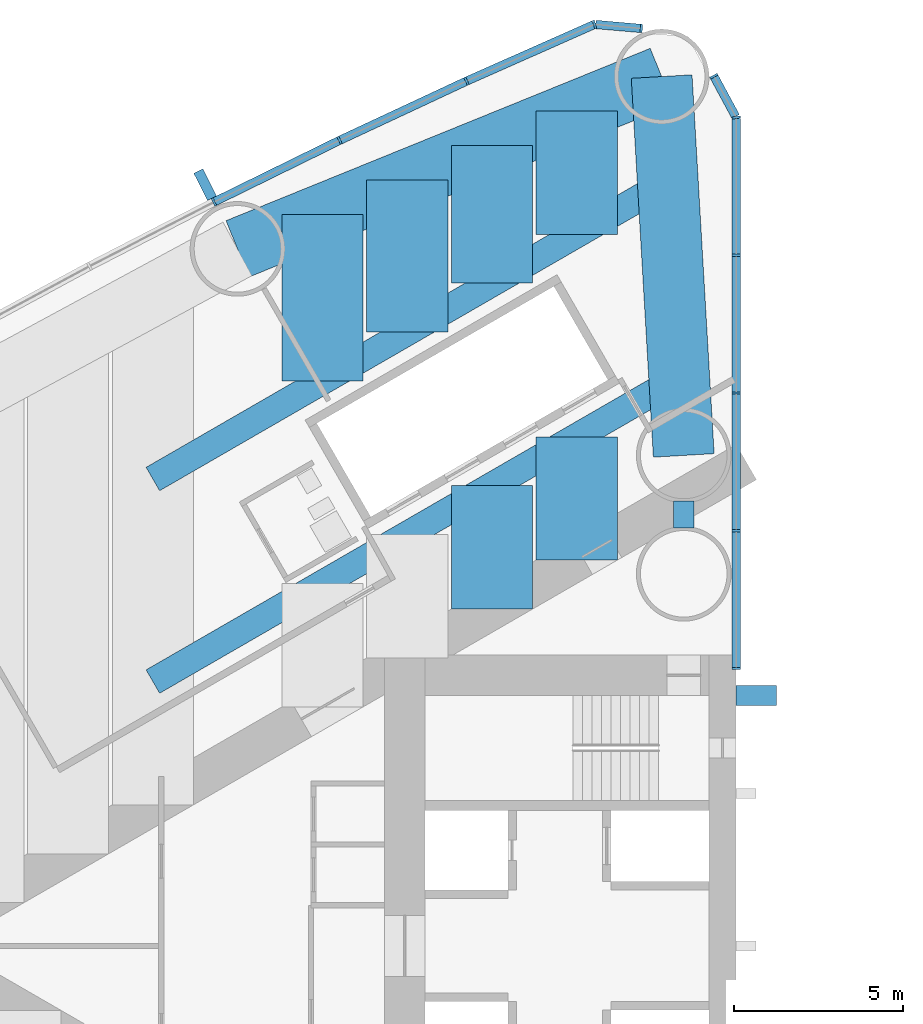
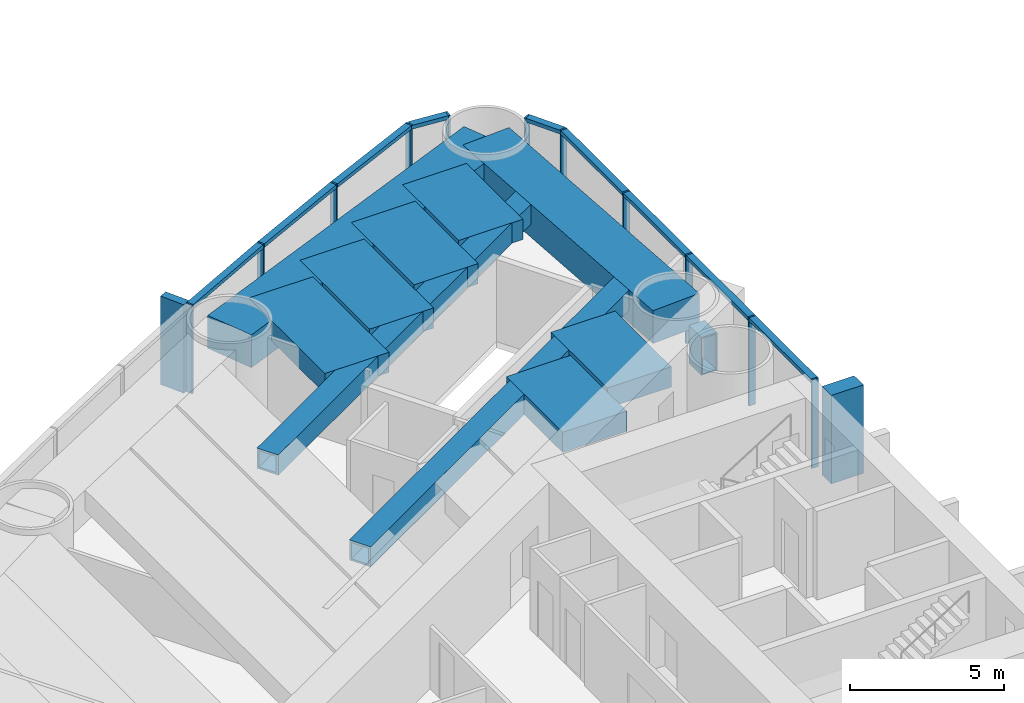
# One storey, part 5 of 19: 22 members, 11 beams, 2 elements without a shape of their own.
"""IFC4 building model written with IfcOpenShell, lengths in metres."""

from ifc_helpers import new_model, si_unit, direction, frame, origin, origin_2d, place, context, subcontext, project, spatial, rectangle, hollow_rectangle, extrude, material, material_profile, profile_set, type_object, element, aggregate, save


model = new_model("IFC4")

# Units and contexts
model_context = context("Model", 3, precision=1e-05, world=origin(), true_north=direction((0.0, 1.0)))
body_context = subcontext(model_context, "Body", "Model", "MODEL_VIEW")
ifc_project = project(units=[si_unit("LENGTHUNIT", "METRE"), si_unit("AREAUNIT", "SQUARE_METRE"), si_unit("VOLUMEUNIT", "CUBIC_METRE"), si_unit("PLANEANGLEUNIT", "RADIAN"), si_unit("MASSUNIT", "GRAM", prefix="KILO")], contexts=[model_context])

# Site, building, storey
site_placement = place(None, origin())
site = spatial("IfcSite", under=ifc_project, at=site_placement, CompositionType="ELEMENT")
building_placement = place(site_placement, origin())
building = spatial("IfcBuilding", under=site, at=building_placement, Name="Lancet Gate Hotel", CompositionType="ELEMENT")
storey_placement = place(building_placement, frame((0.0, 0.0, 70.5)))
storey = spatial("IfcBuildingStorey", under=building, at=storey_placement, Name="L18", CompositionType="ELEMENT", Elevation=70.5)

# Curtain wall, members
ifc_material_1 = material(Name="Aluminium curtain wall", Category="aluminium")
curtain_wall_type = type_object("IfcCurtainWallType", Name="Tower unitised curtain wall", PredefinedType="USERDEFINED", material=ifc_material_1)
curtain_wall_1_placement = place(storey_placement, origin())
curtain_wall_1 = element("IfcCurtainWall", 1, at=curtain_wall_1_placement, inside=storey, type_object=curtain_wall_type, Name="T1 L18 curtain wall 1", ObjectType="UNITISED CURTAIN WALL", PredefinedType="USERDEFINED")
ifc_material_2 = material(Name="Aluminium mullion", Category="aluminium")
ifc_material_profile_1 = material_profile(ifc_material_2, rectangle(XDim=0.06494140625, YDim=0.25, at=origin_2d()), Name="MULLION 65x250")
ifc_profile_set_1 = profile_set([ifc_material_profile_1], Name="Aluminium mullion")
member_type_1 = type_object("IfcMemberType", Name="Aluminium mullion 65x250", PredefinedType="MULLION", material=ifc_profile_set_1)
member_1_placement = place(storey_placement, frame((-27.5, 8.199951171875, 0.0), z_axis=(0.0, 0.0, 1.0), x_axis=(0.0, 1.0, 0.0)))
member_1 = element("IfcMember", 2, at=member_1_placement, type_object=member_type_1, Name="T1 L18 curtain wall 1 mullion 1", PredefinedType="MULLION", context=body_context, shape_type="SweptSolid", body=[
    extrude(rectangle(XDim=0.06494140625, YDim=0.25, at=origin_2d()), origin(), (0.0, 0.0, 1.0), 3.5),
])
member_2_placement = place(storey_placement, frame((-27.5, 12.272705078125, 0.0), z_axis=(0.0, 0.0, 1.0), x_axis=(0.0, 1.0, 0.0)))
member_2 = element("IfcMember", 3, at=member_2_placement, type_object=member_type_1, Name="T1 L18 curtain wall 1 mullion 2", PredefinedType="MULLION", context=body_context, shape_type="SweptSolid", body=[
    extrude(rectangle(XDim=0.06494140625, YDim=0.25, at=origin_2d()), origin(), (0.0, 0.0, 1.0), 3.5),
])
member_3_placement = place(storey_placement, frame((-27.5, 16.345703125, 0.0), z_axis=(0.0, 0.0, 1.0), x_axis=(0.0, 1.0, 0.0)))
member_3 = element("IfcMember", 4, at=member_3_placement, type_object=member_type_1, Name="T1 L18 curtain wall 1 mullion 3", PredefinedType="MULLION", context=body_context, shape_type="SweptSolid", body=[
    extrude(rectangle(XDim=0.06494140625, YDim=0.25, at=origin_2d()), origin(), (0.0, 0.0, 1.0), 3.5),
])
member_4_placement = place(storey_placement, frame((-27.5, 20.41845703125, 0.0), z_axis=(0.0, 0.0, 1.0), x_axis=(0.0, 1.0, 0.0)))
member_4 = element("IfcMember", 5, at=member_4_placement, type_object=member_type_1, Name="T1 L18 curtain wall 1 mullion 4", PredefinedType="MULLION", context=body_context, shape_type="SweptSolid", body=[
    extrude(rectangle(XDim=0.06494140625, YDim=0.25, at=origin_2d()), origin(), (0.0, 0.0, 1.0), 3.5),
])
member_5_placement = place(storey_placement, frame((-27.5, 24.4912109375, 0.0), z_axis=(0.0, 0.0, 1.0), x_axis=(-0.123482502544, 0.992346749662, 0.0)))
member_5 = element("IfcMember", 6, at=member_5_placement, type_object=member_type_1, Name="T1 L18 curtain wall 1 mullion 5", PredefinedType="MULLION", context=body_context, shape_type="SweptSolid", body=[
    extrude(rectangle(XDim=0.06494140625, YDim=0.25, at=origin_2d()), origin(), (0.0, 0.0, 1.0), 3.5),
])
member_6_placement = place(storey_placement, frame((-28.158935546875, 25.712890625, 0.0), z_axis=(0.0, 0.0, 1.0), x_axis=(-0.474631040972, 0.880184852714, 0.0)))
member_6 = element("IfcMember", 7, at=member_6_placement, type_object=member_type_1, Name="T1 L18 curtain wall 1 mullion 6", PredefinedType="MULLION", context=body_context, shape_type="SweptSolid", body=[
    extrude(rectangle(XDim=0.06494140625, YDim=0.25, at=origin_2d()), origin(), (0.0, 0.0, 1.0), 3.5),
])

curtain_wall_2_placement = place(storey_placement, origin())
curtain_wall_2 = element("IfcCurtainWall", 8, at=curtain_wall_2_placement, inside=storey, type_object=curtain_wall_type, Name="T1 L18 curtain wall 2", ObjectType="UNITISED CURTAIN WALL", PredefinedType="USERDEFINED")
member_7_placement = place(storey_placement, frame((-30.3046875, 27.124755859375, 0.0), z_axis=(0.0, 0.0, 1.0), x_axis=(-0.99620380374, 0.087051602022, 0.0)))
member_7 = element("IfcMember", 9, at=member_7_placement, type_object=member_type_1, Name="T1 L18 curtain wall 2 mullion 1", PredefinedType="MULLION", context=body_context, shape_type="SweptSolid", body=[
    extrude(rectangle(XDim=0.06494140625, YDim=0.25, at=origin_2d()), origin(), (0.0, 0.0, 1.0), 3.5),
])
member_8_placement = place(storey_placement, frame((-31.688720703125, 27.24560546875, 0.0), z_axis=(0.0, 0.0, 1.0), x_axis=(-0.957524354695, -0.288352406209, 0.0)))
member_8 = element("IfcMember", 10, at=member_8_placement, type_object=member_type_1, Name="T1 L18 curtain wall 2 mullion 2", PredefinedType="MULLION", context=body_context, shape_type="SweptSolid", body=[
    extrude(rectangle(XDim=0.06494140625, YDim=0.25, at=origin_2d()), origin(), (0.0, 0.0, 1.0), 3.5),
])
member_9_placement = place(storey_placement, frame((-35.473876953125, 25.568115234375, 0.0), z_axis=(0.0, 0.0, 1.0), x_axis=(-0.910219680212, -0.414125746308, 0.0)))
member_9 = element("IfcMember", 11, at=member_9_placement, type_object=member_type_1, Name="T1 L18 curtain wall 2 mullion 3", PredefinedType="MULLION", context=body_context, shape_type="SweptSolid", body=[
    extrude(rectangle(XDim=0.06494140625, YDim=0.25, at=origin_2d()), origin(), (0.0, 0.0, 1.0), 3.5),
])
member_10_placement = place(storey_placement, frame((-39.225341796875, 23.816650390625, 0.0), z_axis=(0.0, 0.0, 1.0), x_axis=(-0.901928838337, -0.431884672772, 0.0)))
member_10 = element("IfcMember", 12, at=member_10_placement, type_object=member_type_1, Name="T1 L18 curtain wall 2 mullion 4", PredefinedType="MULLION", context=body_context, shape_type="SweptSolid", body=[
    extrude(rectangle(XDim=0.06494140625, YDim=0.25, at=origin_2d()), origin(), (0.0, 0.0, 1.0), 3.5),
])
member_11_placement = place(storey_placement, frame((-42.94189453125, 21.991943359375, 0.0), z_axis=(0.0, 0.0, 1.0), x_axis=(-0.893291549794, -0.449477704748, 0.0)))
member_11 = element("IfcMember", 13, at=member_11_placement, type_object=member_type_1, Name="T1 L18 curtain wall 2 mullion 5", PredefinedType="MULLION", context=body_context, shape_type="SweptSolid", body=[
    extrude(rectangle(XDim=0.06494140625, YDim=0.25, at=origin_2d()), origin(), (0.0, 0.0, 1.0), 3.5),
])

# Member
ifc_material_3 = material(Name="Aluminium transom", Category="aluminium")
ifc_material_profile_2 = material_profile(ifc_material_3, rectangle(XDim=0.25, YDim=0.14990234375, at=origin_2d()), Name="TRANSOM 250x150")
ifc_profile_set_2 = profile_set([ifc_material_profile_2], Name="Aluminium transom")
member_type_2 = type_object("IfcMemberType", Name="Aluminium transom 250x150", PredefinedType="USERDEFINED", material=ifc_profile_set_2)
member_12_placement = place(storey_placement, frame((-27.5, 8.232421875, 3.425048828125), z_axis=(0.0, 1.0, 0.0), x_axis=(-1.0, 0.0, 0.0)))
member_12 = element("IfcMember", 14, at=member_12_placement, type_object=member_type_2, Name="T1 L18 curtain wall 1 transom 1", ObjectType="TRANSOM", PredefinedType="USERDEFINED", context=body_context, shape_type="SweptSolid", body=[
    extrude(rectangle(XDim=0.25, YDim=0.14990234375, at=origin_2d()), origin(), (0.0, 0.0, 1.0), 4.0078125),
])

member_13_placement = place(storey_placement, frame((-27.5, 12.30517578125, 3.425048828125), z_axis=(0.0, 1.0, 0.0), x_axis=(-1.0, 0.0, 0.0)))
member_13 = element("IfcMember", 15, at=member_13_placement, type_object=member_type_2, Name="T1 L18 curtain wall 1 transom 2", ObjectType="TRANSOM", PredefinedType="USERDEFINED", context=body_context, shape_type="SweptSolid", body=[
    extrude(rectangle(XDim=0.25, YDim=0.14990234375, at=origin_2d()), origin(), (0.0, 0.0, 1.0), 4.0078125),
])

member_14_placement = place(storey_placement, frame((-27.5, 16.378173828125, 3.425048828125), z_axis=(0.0, 1.0, 0.0), x_axis=(-1.0, 0.0, 0.0)))
member_14 = element("IfcMember", 16, at=member_14_placement, type_object=member_type_2, Name="T1 L18 curtain wall 1 transom 3", ObjectType="TRANSOM", PredefinedType="USERDEFINED", context=body_context, shape_type="SweptSolid", body=[
    extrude(rectangle(XDim=0.25, YDim=0.14990234375, at=origin_2d()), origin(), (0.0, 0.0, 1.0), 4.0078125),
])

member_15_placement = place(storey_placement, frame((-27.5, 20.450927734375, 3.425048828125), z_axis=(0.0, 1.0, 0.0), x_axis=(-1.0, 0.0, 0.0)))
member_15 = element("IfcMember", 17, at=member_15_placement, type_object=member_type_2, Name="T1 L18 curtain wall 1 transom 4", ObjectType="TRANSOM", PredefinedType="USERDEFINED", context=body_context, shape_type="SweptSolid", body=[
    extrude(rectangle(XDim=0.25, YDim=0.14990234375, at=origin_2d()), origin(), (0.0, 0.0, 1.0), 4.0078125),
])

member_16_placement = place(storey_placement, frame((-27.515380859375, 24.519775390625, 3.425048828125), z_axis=(-0.474605926905, 0.880198394765, 0.0), x_axis=(-0.880198394765, -0.474605926905, 0.0)))
member_16 = element("IfcMember", 18, at=member_16_placement, type_object=member_type_2, Name="T1 L18 curtain wall 1 transom 5", ObjectType="TRANSOM", PredefinedType="USERDEFINED", context=body_context, shape_type="SweptSolid", body=[
    extrude(rectangle(XDim=0.25, YDim=0.14990234375, at=origin_2d()), origin(), (0.0, 0.0, 1.0), 1.322998046875),
])

aggregate(curtain_wall_1, [member_1, member_2, member_3, member_4, member_5, member_6, member_12, member_13, member_14, member_15, member_16])

member_17_placement = place(storey_placement, frame((-30.337158203125, 27.127685546875, 3.425048828125), z_axis=(-0.99620591587, 0.087027427779, 0.0), x_axis=(-0.087027427779, -0.99620591587, 0.0)))
member_17 = element("IfcMember", 19, at=member_17_placement, type_object=member_type_2, Name="T1 L18 curtain wall 2 transom 1", ObjectType="TRANSOM", PredefinedType="USERDEFINED", context=body_context, shape_type="SweptSolid", body=[
    extrude(rectangle(XDim=0.25, YDim=0.14990234375, at=origin_2d()), origin(), (0.0, 0.0, 1.0), 1.32421875),
])

member_18_placement = place(storey_placement, frame((-31.71826171875, 27.232421875, 3.425048828125), z_axis=(-0.914248281954, -0.405154389022, 0.0), x_axis=(0.405154389022, -0.914248281954, 0.0)))
member_18 = element("IfcMember", 20, at=member_18_placement, type_object=member_type_2, Name="T1 L18 curtain wall 2 transom 2", ObjectType="TRANSOM", PredefinedType="USERDEFINED", context=body_context, shape_type="SweptSolid", body=[
    extrude(rectangle(XDim=0.25, YDim=0.14990234375, at=origin_2d()), origin(), (0.0, 0.0, 1.0), 4.0751953125),
])

member_19_placement = place(storey_placement, frame((-35.503173828125, 25.554443359375, 3.425048828125), z_axis=(-0.906109667261, -0.423042871228, 0.0), x_axis=(0.423042871228, -0.906109667261, 0.0)))
member_19 = element("IfcMember", 21, at=member_19_placement, type_object=member_type_2, Name="T1 L18 curtain wall 2 transom 3", ObjectType="TRANSOM", PredefinedType="USERDEFINED", context=body_context, shape_type="SweptSolid", body=[
    extrude(rectangle(XDim=0.25, YDim=0.14990234375, at=origin_2d()), origin(), (0.0, 0.0, 1.0), 4.075439453125),
])

member_20_placement = place(storey_placement, frame((-39.254638671875, 23.80224609375, 3.425048828125), z_axis=(-0.897662439958, -0.440683723194, 0.0), x_axis=(0.440683723194, -0.897662439958, 0.0)))
member_20 = element("IfcMember", 22, at=member_20_placement, type_object=member_type_2, Name="T1 L18 curtain wall 2 transom 4", ObjectType="TRANSOM", PredefinedType="USERDEFINED", context=body_context, shape_type="SweptSolid", body=[
    extrude(rectangle(XDim=0.25, YDim=0.14990234375, at=origin_2d()), origin(), (0.0, 0.0, 1.0), 4.0751953125),
])

# Beams
ifc_material_4 = material(Name="Concrete C50/60", Category="concrete")
ifc_material_profile_3 = material_profile(ifc_material_4, rectangle(XDim=1.800048828125, YDim=1.300048828125, at=origin_2d()), Name="RC 1800x1300")
ifc_profile_set_3 = profile_set([ifc_material_profile_3], Name="Concrete C50/60")
beam_type_1 = type_object("IfcBeamType", Name="Edge beam RC 1800x1300", PredefinedType="SPANDREL", material=ifc_profile_set_3)
beam_1_placement = place(storey_placement, frame((-29.703369140625, 25.70263671875, 2.60009765625), z_axis=(-0.926463236197, -0.376385270667, 0.0), x_axis=(0.376385270667, -0.926463236197, 0.0)))
element("IfcBeam", 23, at=beam_1_placement, inside=storey, type_object=beam_type_1, Name="T1 edge beam EB1 L18", PredefinedType="SPANDREL", context=body_context, shape_type="SweptSolid", body=[
    extrude(rectangle(XDim=1.800048828125, YDim=1.300048828125, at=origin_2d()), origin(), (0.0, 0.0, 1.0), 13.537353515625),
])
beam_2_placement = place(storey_placement, frame((-29.703369140625, 25.70263671875, 2.60009765625), z_axis=(0.058219521912, -0.998303805096, 0.0), x_axis=(0.998303805096, 0.058219521912, 0.0)))
element("IfcBeam", 24, at=beam_2_placement, inside=storey, type_object=beam_type_1, Name="T1 edge beam EB1 L18", PredefinedType="SPANDREL", context=body_context, shape_type="SweptSolid", body=[
    extrude(rectangle(XDim=1.800048828125, YDim=1.300048828125, at=origin_2d()), origin(), (0.0, 0.0, 1.0), 11.2216796875),
])

# Member
ifc_material_5 = material(Name="Concrete C60/75", Category="concrete")
ifc_material_profile_4 = material_profile(ifc_material_5, rectangle(XDim=0.60009765625, YDim=1.199951171875, at=origin_2d()), Name="FIN 600x1200")
ifc_profile_set_4 = profile_set([ifc_material_profile_4], Name="Concrete C60/75")
member_type_3 = type_object("IfcMemberType", Name="Exposed concrete buttress pilaster 600x1200", PredefinedType="USERDEFINED", material=ifc_profile_set_4)
member_21_placement = place(storey_placement, frame((-26.909912109375, 7.39990234375, 0.0), z_axis=(0.0, 0.0, 1.0), x_axis=(0.0, 1.0, 0.0)))
element("IfcMember", 25, at=member_21_placement, inside=storey, type_object=member_type_3, Name="T1 buttress pilaster S L18", ObjectType="FIN", PredefinedType="USERDEFINED", context=body_context, shape_type="SweptSolid", body=[
    extrude(rectangle(XDim=0.60009765625, YDim=1.199951171875, at=origin_2d()), origin(), (0.0, 0.0, 1.0), 3.5),
])

ifc_material_6 = material(Name="Precast concrete C50/60", Category="concrete")
ifc_material_profile_5 = material_profile(ifc_material_6, rectangle(XDim=0.300048828125, YDim=0.89990234375, at=origin_2d()), Name="FIN 300x900")
ifc_profile_set_5 = profile_set([ifc_material_profile_5], Name="Precast concrete C50/60")
member_type_4 = type_object("IfcMemberType", Name="Exposed concrete fin 300x900", PredefinedType="USERDEFINED", material=ifc_profile_set_5)
member_22_placement = place(storey_placement, frame((-43.200439453125, 22.505615234375, 0.0), z_axis=(0.0, 0.0, 1.0), x_axis=(-0.893291549794, -0.449477704748, 0.0)))
member_22 = element("IfcMember", 26, at=member_22_placement, type_object=member_type_4, Name="T1 L18 curtain wall 2 fin 5", ObjectType="FIN", PredefinedType="USERDEFINED", context=body_context, shape_type="SweptSolid", body=[
    extrude(rectangle(XDim=0.300048828125, YDim=0.89990234375, at=origin_2d()), origin(), (0.0, 0.0, 1.0), 3.5),
])

aggregate(curtain_wall_2, [member_7, member_8, member_9, member_10, member_11, member_22, member_17, member_18, member_19, member_20])

# Beams
ifc_material_7 = material(Name="Concrete C50/60", Category="concrete")
ifc_material_profile_6 = material_profile(ifc_material_7, rectangle(XDim=2.39990234375, YDim=0.800048828125, at=origin_2d()), Name="RC 2400x800")
ifc_profile_set_6 = profile_set([ifc_material_profile_6], Name="Concrete C50/60")
beam_type_2 = type_object("IfcBeamType", Name="Floor beam RC 2400x800", PredefinedType="BEAM", material=ifc_profile_set_6)
beam_3_placement = place(storey_placement, frame((-32.213623046875, 24.682861328125, 2.85009765625), z_axis=(0.0, -1.0, 0.0), x_axis=(1.0, 0.0, 0.0)))
element("IfcBeam", 27, at=beam_3_placement, inside=storey, type_object=beam_type_2, Name="T1 floor beam F02SA L18", PredefinedType="BEAM", context=body_context, shape_type="SweptSolid", body=[
    extrude(rectangle(XDim=2.39990234375, YDim=0.800048828125, at=origin_2d()), origin(), (0.0, 0.0, 1.0), 3.643798828125),
])
beam_4_placement = place(storey_placement, frame((-32.213623046875, 15.051025390625, 2.85009765625), z_axis=(0.0, -1.0, 0.0), x_axis=(1.0, 0.0, 0.0)))
element("IfcBeam", 28, at=beam_4_placement, inside=storey, type_object=beam_type_2, Name="T1 floor beam F02SB L18", PredefinedType="BEAM", context=body_context, shape_type="SweptSolid", body=[
    extrude(rectangle(XDim=2.39990234375, YDim=0.800048828125, at=origin_2d()), origin(), (0.0, 0.0, 1.0), 3.645751953125),
])
beam_5_placement = place(storey_placement, frame((-34.720458984375, 23.664306640625, 2.85009765625), z_axis=(0.0, -1.0, 0.0), x_axis=(1.0, 0.0, 0.0)))
element("IfcBeam", 29, at=beam_5_placement, inside=storey, type_object=beam_type_2, Name="T1 floor beam F04SA L18", PredefinedType="BEAM", context=body_context, shape_type="SweptSolid", body=[
    extrude(rectangle(XDim=2.39990234375, YDim=0.800048828125, at=origin_2d()), origin(), (0.0, 0.0, 1.0), 4.07275390625),
])
beam_6_placement = place(storey_placement, frame((-34.720458984375, 13.603759765625, 2.85009765625), z_axis=(0.0, -1.0, 0.0), x_axis=(1.0, 0.0, 0.0)))
element("IfcBeam", 30, at=beam_6_placement, inside=storey, type_object=beam_type_2, Name="T1 floor beam F04SB L18", PredefinedType="BEAM", context=body_context, shape_type="SweptSolid", body=[
    extrude(rectangle(XDim=2.39990234375, YDim=0.800048828125, at=origin_2d()), origin(), (0.0, 0.0, 1.0), 3.645751953125),
])
beam_7_placement = place(storey_placement, frame((-37.227294921875, 22.64599609375, 2.85009765625), z_axis=(0.0, -1.0, 0.0), x_axis=(1.0, 0.0, 0.0)))
element("IfcBeam", 31, at=beam_7_placement, inside=storey, type_object=beam_type_2, Name="T1 floor beam F05SA L18", PredefinedType="BEAM", context=body_context, shape_type="SweptSolid", body=[
    extrude(rectangle(XDim=2.39990234375, YDim=0.800048828125, at=origin_2d()), origin(), (0.0, 0.0, 1.0), 4.501953125),
])
beam_8_placement = place(storey_placement, frame((-39.734130859375, 21.627685546875, 2.85009765625), z_axis=(0.0, -1.0, 0.0), x_axis=(1.0, 0.0, 0.0)))
element("IfcBeam", 32, at=beam_8_placement, inside=storey, type_object=beam_type_2, Name="T1 floor beam F07SA L18", PredefinedType="BEAM", context=body_context, shape_type="SweptSolid", body=[
    extrude(rectangle(XDim=2.39990234375, YDim=0.800048828125, at=origin_2d()), origin(), (0.0, 0.0, 1.0), 4.93115234375),
])
ifc_material_8 = material(Name="Steel S460QL", Category="steel")
ifc_material_profile_7 = material_profile(ifc_material_8, hollow_rectangle(XDim=0.60009765625, YDim=1.5, WallThickness=0.050048828125, at=origin_2d()), Name="BOX 1500x600x50")
ifc_profile_set_7 = profile_set([ifc_material_profile_7], Name="Steel S460QL")
beam_type_3 = type_object("IfcBeamType", Name="Inner-face link beam BOX 1500x600x50", PredefinedType="BEAM", material=ifc_profile_set_7)
beam_9_placement = place(storey_placement, frame((-29.050048828125, 13.14990234375, 2.5), z_axis=(0.0, -1.0, 0.0), x_axis=(1.0, 0.0, 0.0)))
element("IfcBeam", 33, at=beam_9_placement, inside=storey, type_object=beam_type_3, Name="T1 inner-face link beam LK1 L18", PredefinedType="BEAM", context=body_context, shape_type="SweptSolid", body=[
    extrude(hollow_rectangle(XDim=0.60009765625, YDim=1.5, WallThickness=0.050048828125, at=origin_2d()), origin(), (0.0, 0.0, 1.0), 0.7998046875),
])
ifc_material_9 = material(Name="Steel S460QL", Category="steel")
ifc_material_profile_8 = material_profile(ifc_material_9, hollow_rectangle(XDim=0.800048828125, YDim=0.800048828125, WallThickness=0.080078125, at=origin_2d()), Name="BOX 800x800x80")
ifc_profile_set_8 = profile_set([ifc_material_profile_8], Name="Steel S460QL")
beam_type_4 = type_object("IfcBeamType", Name="Trimmer beam BOX 800x800x80", PredefinedType="BEAM", material=ifc_profile_set_8)
beam_10_placement = place(storey_placement, frame((-29.18408203125, 16.800537109375, 2.85009765625), z_axis=(-0.865998945969, -0.500045823481, 0.0), x_axis=(0.500045823481, -0.865998945969, 0.0)))
element("IfcBeam", 34, at=beam_10_placement, inside=storey, type_object=beam_type_4, Name="T1 trimmer beam TR01S L18", PredefinedType="BEAM", context=body_context, shape_type="SweptSolid", body=[
    extrude(hollow_rectangle(XDim=0.800048828125, YDim=0.800048828125, WallThickness=0.080078125, at=origin_2d()), origin(), (0.0, 0.0, 1.0), 17.971923828125),
])
beam_11_placement = place(storey_placement, frame((-29.52197265625, 22.59326171875, 2.85009765625), z_axis=(-0.866004054636, -0.500036975987, 0.0), x_axis=(0.500036975987, -0.866004054636, 0.0)))
element("IfcBeam", 35, at=beam_11_placement, inside=storey, type_object=beam_type_4, Name="T1 trimmer beam TR02S L18", PredefinedType="BEAM", context=body_context, shape_type="SweptSolid", body=[
    extrude(hollow_rectangle(XDim=0.800048828125, YDim=0.800048828125, WallThickness=0.080078125, at=origin_2d()), origin(), (0.0, 0.0, 1.0), 17.581787109375),
])

save(model, "model.ifc")
